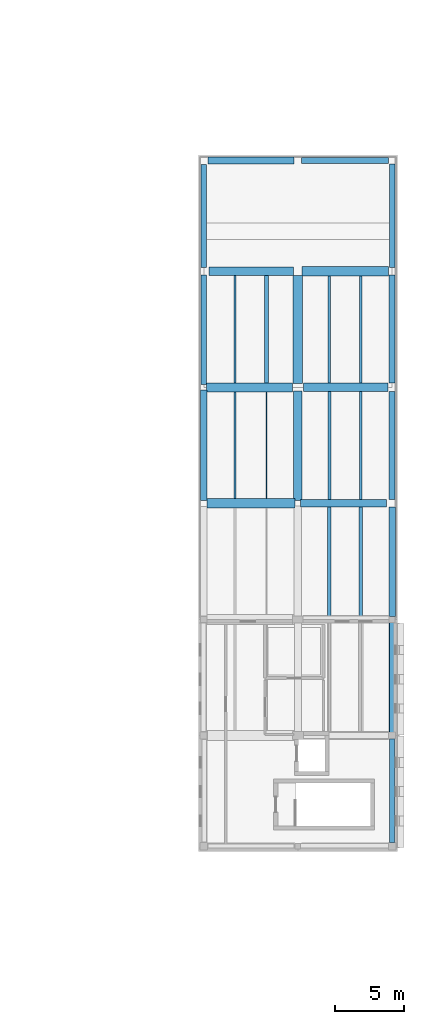
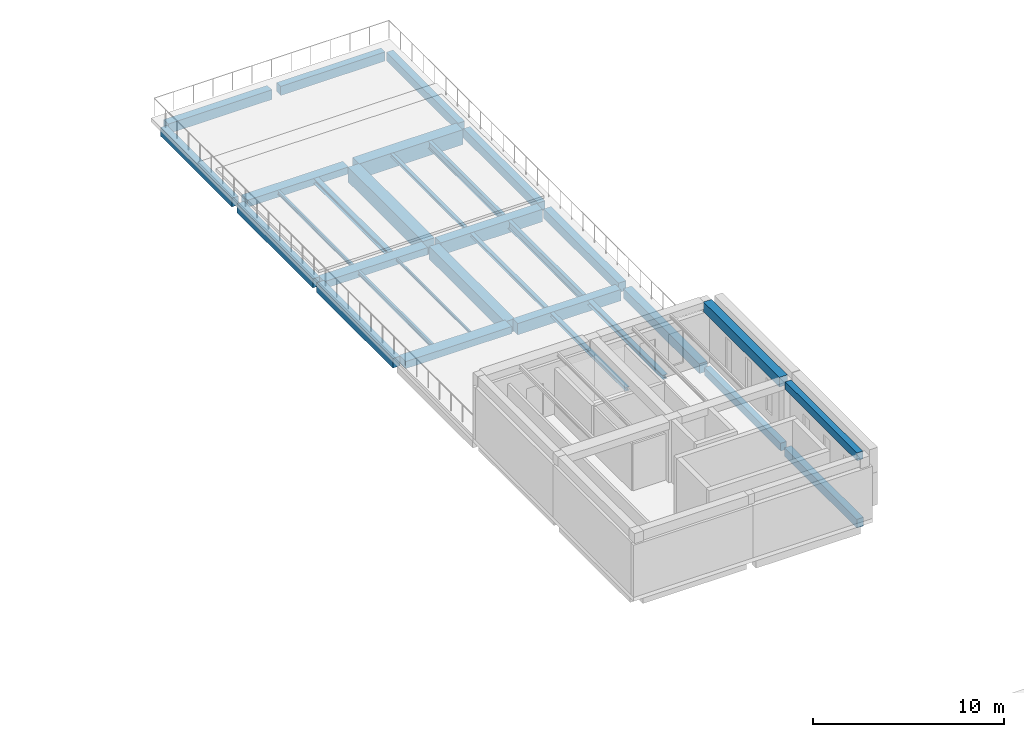
# One storey, part 15 of 34: 31 beams.
"""IFC4 building model written with IfcOpenShell, lengths in metres."""

from ifc_helpers import new_model, si_unit, direction, frame, origin, origin_2d, place, context, subcontext, project, spatial, rectangle, i_section, extrude, material, material_profile, profile_set, type_object, element, save


model = new_model("IFC4")

# Units and contexts
model_context = context("Model", 3, precision=1e-05, world=origin(), true_north=direction((0.0, 1.0)))
body_context = subcontext(model_context, "Body", "Model", "MODEL_VIEW")
ifc_project = project(units=[si_unit("LENGTHUNIT", "METRE"), si_unit("AREAUNIT", "SQUARE_METRE"), si_unit("VOLUMEUNIT", "CUBIC_METRE"), si_unit("PLANEANGLEUNIT", "RADIAN"), si_unit("MASSUNIT", "GRAM", prefix="KILO")], contexts=[model_context])

# Site, building, storey
site_placement = place(None, origin())
site = spatial("IfcSite", under=ifc_project, at=site_placement, CompositionType="ELEMENT")
building_placement = place(site_placement, origin())
building = spatial("IfcBuilding", under=site, at=building_placement, Name="Vardoun Plaza Health Centre", CompositionType="ELEMENT")
storey_placement = place(building_placement, frame((0.0, 0.0, 12.89990234375)))
storey = spatial("IfcBuildingStorey", under=building, at=storey_placement, Name="L03", CompositionType="ELEMENT", Elevation=12.89990234375)

# Beams
ifc_material_1 = material(Name="Concrete C35/45", Category="concrete")
ifc_material_profile_1 = material_profile(ifc_material_1, rectangle(XDim=0.35009765625, YDim=0.5, at=origin_2d()), Name="RC-BM 350x500")
ifc_profile_set_1 = profile_set([ifc_material_profile_1], Name="Concrete C35/45")
beam_type_1 = type_object("IfcBeamType", Name="B-08", PredefinedType="SPANDREL", material=ifc_profile_set_1)
beam_1_placement = place(storey_placement, frame((164.919921875, 44.925048828125, -0.5), z_axis=(0.0, 1.0, 0.0), x_axis=(-1.0, 0.0, 0.0)))
element("IfcBeam", 1, at=beam_1_placement, inside=storey, type_object=beam_type_1, Name="V6 L03 Beam B-V6-L03-Y26", PredefinedType="SPANDREL", context=body_context, shape_type="SweptSolid", body=[
    extrude(rectangle(XDim=0.35009765625, YDim=0.5, at=origin_2d()), origin(), (0.0, 0.0, 1.0), 7.97509765625),
])
beam_2_placement = place(storey_placement, frame((164.919921875, 36.955078125, 3.710205078125), z_axis=(0.0, 1.0, 0.0), x_axis=(-1.0, 0.0, 0.0)))
element("IfcBeam", 2, at=beam_2_placement, inside=storey, type_object=beam_type_1, Name="V6 L03 Beam B-V6-L03-Y10", PredefinedType="SPANDREL", context=body_context, shape_type="SweptSolid", body=[
    extrude(rectangle(XDim=0.35009765625, YDim=0.5, at=origin_2d()), origin(), (0.0, 0.0, 1.0), 7.494873046875),
])
ifc_material_2 = material(Name="Concrete C35/45", Category="concrete")
ifc_material_profile_2 = material_profile(ifc_material_2, rectangle(XDim=0.39990234375, YDim=0.550048828125, at=origin_2d()), Name="RC-BM 400x550")
ifc_profile_set_2 = profile_set([ifc_material_profile_2], Name="Concrete C35/45")
beam_type_2 = type_object("IfcBeamType", Name="B-09", PredefinedType="SPANDREL", material=ifc_profile_set_2)
beam_3_placement = place(storey_placement, frame((151.280029296875, 78.574951171875, -0.52490234375), z_axis=(0.0, 1.0, 0.0), x_axis=(-1.0, 0.0, 0.0)))
element("IfcBeam", 3, at=beam_3_placement, inside=storey, type_object=beam_type_2, Name="V6 L03 Beam B-V6-L03-Y20", PredefinedType="SPANDREL", context=body_context, shape_type="SweptSolid", body=[
    extrude(rectangle(XDim=0.39990234375, YDim=0.550048828125, at=origin_2d()), origin(), (0.0, 0.0, 1.0), 7.445068359375),
])
beam_4_placement = place(storey_placement, frame((164.919921875, 36.929931640625, -0.52490234375), z_axis=(0.0, 1.0, 0.0), x_axis=(-1.0, 0.0, 0.0)))
element("IfcBeam", 4, at=beam_4_placement, inside=storey, type_object=beam_type_2, Name="V6 L03 Beam B-V6-L03-Y25", PredefinedType="SPANDREL", context=body_context, shape_type="SweptSolid", body=[
    extrude(rectangle(XDim=0.39990234375, YDim=0.550048828125, at=origin_2d()), origin(), (0.0, 0.0, 1.0), 7.545166015625),
])
beam_5_placement = place(storey_placement, frame((164.919921875, 78.574951171875, -0.52490234375), z_axis=(0.0, 1.0, 0.0), x_axis=(-1.0, 0.0, 0.0)))
element("IfcBeam", 5, at=beam_5_placement, inside=storey, type_object=beam_type_2, Name="V6 L03 Beam B-V6-L03-Y30", PredefinedType="SPANDREL", context=body_context, shape_type="SweptSolid", body=[
    extrude(rectangle(XDim=0.39990234375, YDim=0.550048828125, at=origin_2d()), origin(), (0.0, 0.0, 1.0), 7.4951171875),
])
ifc_material_3 = material(Name="Concrete C35/45", Category="concrete")
ifc_material_profile_3 = material_profile(ifc_material_3, rectangle(XDim=0.419921875, YDim=0.580078125, at=origin_2d()), Name="RC-BM 420x580")
ifc_profile_set_3 = profile_set([ifc_material_profile_3], Name="Concrete C35/45")
beam_type_3 = type_object("IfcBeamType", Name="B-10", PredefinedType="SPANDREL", material=ifc_profile_set_3)
beam_6_placement = place(storey_placement, frame((158.375, 86.320068359375, -0.539794921875), z_axis=(1.0, 0.0, 0.0), x_axis=(0.0, 1.0, 0.0)))
element("IfcBeam", 6, at=beam_6_placement, inside=storey, type_object=beam_type_3, Name="V6 L03 Beam B-V6-L03-X14", PredefinedType="SPANDREL", context=body_context, shape_type="SweptSolid", body=[
    extrude(rectangle(XDim=0.419921875, YDim=0.580078125, at=origin_2d()), origin(), (0.0, 0.0, 1.0), 6.294921875),
])
beam_7_placement = place(storey_placement, frame((151.280029296875, 70.10009765625, -0.539794921875), z_axis=(0.0, 1.0, 0.0), x_axis=(-1.0, 0.0, 0.0)))
element("IfcBeam", 7, at=beam_7_placement, inside=storey, type_object=beam_type_3, Name="V6 L03 Beam B-V6-L03-Y19", PredefinedType="SPANDREL", context=body_context, shape_type="SweptSolid", body=[
    extrude(rectangle(XDim=0.419921875, YDim=0.580078125, at=origin_2d()), origin(), (0.0, 0.0, 1.0), 7.925048828125),
])
beam_8_placement = place(storey_placement, frame((164.919921875, 70.199951171875, -0.539794921875), z_axis=(0.0, 1.0, 0.0), x_axis=(-1.0, 0.0, 0.0)))
element("IfcBeam", 8, at=beam_8_placement, inside=storey, type_object=beam_type_3, Name="V6 L03 Beam B-V6-L03-Y29", PredefinedType="SPANDREL", context=body_context, shape_type="SweptSolid", body=[
    extrude(rectangle(XDim=0.419921875, YDim=0.580078125, at=origin_2d()), origin(), (0.0, 0.0, 1.0), 7.8251953125),
])
ifc_material_4 = material(Name="Concrete C35/45", Category="concrete")
ifc_material_profile_4 = material_profile(ifc_material_4, rectangle(XDim=0.449951171875, YDim=0.60009765625, at=origin_2d()), Name="RC-BM 450x600")
ifc_profile_set_4 = profile_set([ifc_material_profile_4], Name="Concrete C35/45")
beam_type_4 = type_object("IfcBeamType", Name="B-11", PredefinedType="SPANDREL", material=ifc_profile_set_4)
beam_9_placement = place(storey_placement, frame((151.280029296875, 61.72509765625, -0.5498046875), z_axis=(0.0, 1.0, 0.0), x_axis=(-1.0, 0.0, 0.0)))
element("IfcBeam", 9, at=beam_9_placement, inside=storey, type_object=beam_type_4, Name="V6 L03 Beam B-V6-L03-Y18", PredefinedType="SPANDREL", context=body_context, shape_type="SweptSolid", body=[
    extrude(rectangle(XDim=0.449951171875, YDim=0.60009765625, at=origin_2d()), origin(), (0.0, 0.0, 1.0), 7.974853515625),
])
beam_10_placement = place(storey_placement, frame((164.919921875, 61.775146484375, -0.5498046875), z_axis=(0.0, 1.0, 0.0), x_axis=(-1.0, 0.0, 0.0)))
element("IfcBeam", 10, at=beam_10_placement, inside=storey, type_object=beam_type_4, Name="V6 L03 Beam B-V6-L03-Y28", PredefinedType="SPANDREL", context=body_context, shape_type="SweptSolid", body=[
    extrude(rectangle(XDim=0.449951171875, YDim=0.60009765625, at=origin_2d()), origin(), (0.0, 0.0, 1.0), 7.824951171875),
])
ifc_material_5 = material(Name="Concrete C35/45", Category="concrete")
ifc_material_profile_5 = material_profile(ifc_material_5, rectangle(XDim=0.47998046875, YDim=0.6201171875, at=origin_2d()), Name="RC-BM 480x620")
ifc_profile_set_5 = profile_set([ifc_material_profile_5], Name="Concrete C35/45")
beam_type_5 = type_object("IfcBeamType", Name="B-12", PredefinedType="SPANDREL", material=ifc_profile_set_5)
beam_11_placement = place(storey_placement, frame((151.580078125, 86.320068359375, -0.559814453125), z_axis=(1.0, 0.0, 0.0), x_axis=(0.0, 1.0, 0.0)))
element("IfcBeam", 11, at=beam_11_placement, inside=storey, type_object=beam_type_5, Name="V6 L03 Beam B-V6-L03-X07", PredefinedType="SPANDREL", context=body_context, shape_type="SweptSolid", body=[
    extrude(rectangle(XDim=0.47998046875, YDim=0.6201171875, at=origin_2d()), origin(), (0.0, 0.0, 1.0), 6.244873046875),
])
for number, where, z_axis, x_axis, name in (
    (12, (164.919921875, 53.300048828125, -0.559814453125), (0.0, 1.0, 0.0), (-1.0, 0.0, 0.0), "V6 L03 Beam B-V6-L03-Y27"),
    (13, (164.919921875, 44.949951171875, 3.650146484375), (0.0, 1.0, 0.0), (-1.0, 0.0, 0.0), "V6 L03 Beam B-V6-L03-Y11"),
):
    element("IfcBeam", number, at=place(storey_placement, frame(where, z_axis=z_axis, x_axis=x_axis)), inside=storey, type_object=beam_type_5, Name=name, PredefinedType="SPANDREL", context=body_context, shape_type="SweptSolid", body=[
        extrude(rectangle(XDim=0.47998046875, YDim=0.6201171875, at=origin_2d()), origin(), (0.0, 0.0, 1.0), 7.925048828125),
    ])
ifc_material_6 = material(Name="Concrete C40/50", Category="concrete")
ifc_material_profile_6 = material_profile(ifc_material_6, rectangle(XDim=0.550048828125, YDim=0.719970703125, at=origin_2d()), Name="RC-BM 550x720")
ifc_profile_set_6 = profile_set([ifc_material_profile_6], Name="Concrete C40/50")
beam_type_6 = type_object("IfcBeamType", Name="B-14", PredefinedType="BEAM", material=ifc_profile_set_6)
beam_12_placement = place(storey_placement, frame((158.300048828125, 61.5, -0.60986328125), z_axis=(1.0, 0.0, 0.0), x_axis=(0.0, 1.0, 0.0)))
element("IfcBeam", 14, at=beam_12_placement, inside=storey, type_object=beam_type_6, Name="V6 L03 Beam B-V6-L03-X11", PredefinedType="BEAM", context=body_context, shape_type="SweptSolid", body=[
    extrude(rectangle(XDim=0.550048828125, YDim=0.719970703125, at=origin_2d()), origin(), (0.0, 0.0, 1.0), 6.219970703125),
])
ifc_material_7 = material(Name="Concrete C35/45", Category="concrete")
ifc_material_profile_7 = material_profile(ifc_material_7, rectangle(XDim=0.60009765625, YDim=0.449951171875, at=origin_2d()), Name="RC-BM 600x450")
ifc_profile_set_7 = profile_set([ifc_material_profile_7], Name="Concrete C35/45")
beam_type_7 = type_object("IfcBeamType", Name="B-04", PredefinedType="BEAM", material=ifc_profile_set_7)
beam_13_placement = place(storey_placement, frame((151.679931640625, 78.300048828125, -0.474853515625), z_axis=(1.0, 0.0, 0.0), x_axis=(0.0, 1.0, 0.0)))
element("IfcBeam", 15, at=beam_13_placement, inside=storey, type_object=beam_type_7, Name="V6 L03 Beam B-V6-L03-X06", PredefinedType="BEAM", context=body_context, shape_type="SweptSolid", body=[
    extrude(rectangle(XDim=0.60009765625, YDim=0.449951171875, at=origin_2d()), origin(), (0.0, 0.0, 1.0), 6.1201171875),
])
ifc_material_8 = material(Name="Concrete C40/50", Category="concrete")
ifc_material_profile_8 = material_profile(ifc_material_8, rectangle(XDim=0.60009765625, YDim=0.800048828125, at=origin_2d()), Name="RC-BM 600x800")
ifc_profile_set_8 = profile_set([ifc_material_profile_8], Name="Concrete C40/50")
beam_type_8 = type_object("IfcBeamType", Name="B-15", PredefinedType="JOIST", material=ifc_profile_set_8)
beam_14_placement = place(storey_placement, frame((158.5, 69.900146484375, -0.64990234375), z_axis=(1.0, 0.0, 0.0), x_axis=(0.0, 1.0, 0.0)))
element("IfcBeam", 16, at=beam_14_placement, inside=storey, type_object=beam_type_8, Name="V6 L03 Beam B-V6-L03-X12", PredefinedType="JOIST", context=body_context, shape_type="SweptSolid", body=[
    extrude(rectangle(XDim=0.60009765625, YDim=0.800048828125, at=origin_2d()), origin(), (0.0, 0.0, 1.0), 6.1201171875),
])
beam_15_placement = place(storey_placement, frame((158.10009765625, 61.699951171875, -0.64990234375), z_axis=(0.0, 1.0, 0.0), x_axis=(-1.0, 0.0, 0.0)))
element("IfcBeam", 17, at=beam_15_placement, inside=storey, type_object=beam_type_8, Name="V6 L03 Beam B-V6-L03-Y23", PredefinedType="JOIST", context=body_context, shape_type="SweptSolid", body=[
    extrude(rectangle(XDim=0.60009765625, YDim=0.800048828125, at=origin_2d()), origin(), (0.0, 0.0, 1.0), 7.925048828125),
])
ifc_material_9 = material(Name="Concrete C35/45", Category="concrete")
ifc_material_profile_9 = material_profile(ifc_material_9, rectangle(XDim=0.64990234375, YDim=0.449951171875, at=origin_2d()), Name="RC-BM 650x450")
ifc_profile_set_9 = profile_set([ifc_material_profile_9], Name="Concrete C35/45")
beam_type_9 = type_object("IfcBeamType", Name="B-05", PredefinedType="BEAM", material=ifc_profile_set_9)
beam_16_placement = place(storey_placement, frame((151.47998046875, 69.900146484375, -0.474853515625), z_axis=(1.0, 0.0, 0.0), x_axis=(0.0, 1.0, 0.0)))
element("IfcBeam", 18, at=beam_16_placement, inside=storey, type_object=beam_type_9, Name="V6 L03 Beam B-V6-L03-X05", PredefinedType="BEAM", context=body_context, shape_type="SweptSolid", body=[
    extrude(rectangle(XDim=0.64990234375, YDim=0.449951171875, at=origin_2d()), origin(), (0.0, 0.0, 1.0), 6.219970703125),
])
ifc_material_10 = material(Name="Concrete C35/45", Category="concrete")
ifc_material_profile_10 = material_profile(ifc_material_10, rectangle(XDim=0.699951171875, YDim=0.449951171875, at=origin_2d()), Name="RC-BM 700x450")
ifc_profile_set_10 = profile_set([ifc_material_profile_10], Name="Concrete C35/45")
beam_type_10 = type_object("IfcBeamType", Name="B-06", PredefinedType="BEAM", material=ifc_profile_set_10)
beam_17_placement = place(storey_placement, frame((151.5048828125, 61.5, -0.474853515625), z_axis=(1.0, 0.0, 0.0), x_axis=(0.0, 1.0, 0.0)))
element("IfcBeam", 19, at=beam_17_placement, inside=storey, type_object=beam_type_10, Name="V6 L03 Beam B-V6-L03-X04", PredefinedType="BEAM", context=body_context, shape_type="SweptSolid", body=[
    extrude(rectangle(XDim=0.699951171875, YDim=0.449951171875, at=origin_2d()), origin(), (0.0, 0.0, 1.0), 6.39501953125),
])
ifc_material_11 = material(Name="Concrete C40/50", Category="concrete")
ifc_material_profile_11 = material_profile(ifc_material_11, rectangle(XDim=0.699951171875, YDim=0.949951171875, at=origin_2d()), Name="RC-BM 700x950")
ifc_profile_set_11 = profile_set([ifc_material_profile_11], Name="Concrete C40/50")
beam_type_11 = type_object("IfcBeamType", Name="B-16", PredefinedType="LINTEL", material=ifc_profile_set_11)
beam_18_placement = place(storey_placement, frame((158.39990234375, 78.300048828125, -0.724853515625), z_axis=(1.0, 0.0, 0.0), x_axis=(0.0, 1.0, 0.0)))
element("IfcBeam", 20, at=beam_18_placement, inside=storey, type_object=beam_type_11, Name="V6 L03 Beam B-V6-L03-X13", PredefinedType="LINTEL", context=body_context, shape_type="SweptSolid", body=[
    extrude(rectangle(XDim=0.699951171875, YDim=0.949951171875, at=origin_2d()), origin(), (0.0, 0.0, 1.0), 6.2451171875),
])
beam_19_placement = place(storey_placement, frame((158.10009765625, 70.175048828125, -0.724853515625), z_axis=(0.0, 1.0, 0.0), x_axis=(-1.0, 0.0, 0.0)))
element("IfcBeam", 21, at=beam_19_placement, inside=storey, type_object=beam_type_11, Name="V6 L03 Beam B-V6-L03-Y24", PredefinedType="LINTEL", context=body_context, shape_type="SweptSolid", body=[
    extrude(rectangle(XDim=0.699951171875, YDim=0.949951171875, at=origin_2d()), origin(), (0.0, 0.0, 1.0), 7.824951171875),
])
ifc_material_12 = material(Name="Steel S355J2", Category="steel")
ifc_material_profile_12 = material_profile(ifc_material_12, i_section(OverallWidth=0.199951171875, OverallDepth=0.18994140625, WebThickness=0.006591796875, FlangeThickness=0.010009765625, FilletRadius=0.01806640625, at=origin_2d()), Name="HEA 200")
ifc_profile_set_12 = profile_set([ifc_material_profile_12], Name="Steel S355J2")
beam_type_12 = type_object("IfcBeamType", Name="SB-09", PredefinedType="BEAM", material=ifc_profile_set_12)
beam_20_placement = place(storey_placement, frame((160.373046875, 70.199951171875, -0.344970703125), z_axis=(0.0, 1.0, 0.0), x_axis=(-1.0, 0.0, 0.0)))
element("IfcBeam", 22, at=beam_20_placement, inside=storey, type_object=beam_type_12, Name="V6 L03 Secondary Floor Beam SJ-V6-L03-12", PredefinedType="BEAM", context=body_context, shape_type="SweptSolid", body=[
    extrude(i_section(OverallWidth=0.199951171875, OverallDepth=0.18994140625, WebThickness=0.006591796875, FlangeThickness=0.010009765625, FilletRadius=0.01806640625, at=origin_2d()), origin(), (0.0, 0.0, 1.0), 7.75),
])
ifc_material_13 = material(Name="Steel S355J2", Category="steel")
ifc_material_profile_13 = material_profile(ifc_material_13, i_section(OverallWidth=0.219970703125, OverallDepth=0.2099609375, WebThickness=0.007080078125, FlangeThickness=0.010986328125, FilletRadius=0.01806640625, at=origin_2d()), Name="HEA 220")
ifc_profile_set_13 = profile_set([ifc_material_profile_13], Name="Steel S355J2")
beam_type_13 = type_object("IfcBeamType", Name="SB-08", PredefinedType="BEAM", material=ifc_profile_set_13)
beam_21_placement = place(storey_placement, frame((160.373046875, 61.775146484375, -0.35498046875), z_axis=(0.0, 1.0, 0.0), x_axis=(-1.0, 0.0, 0.0)))
element("IfcBeam", 23, at=beam_21_placement, inside=storey, type_object=beam_type_13, Name="V6 L03 Secondary Floor Beam SJ-V6-L03-11", PredefinedType="BEAM", context=body_context, shape_type="SweptSolid", body=[
    extrude(i_section(OverallWidth=0.219970703125, OverallDepth=0.2099609375, WebThickness=0.007080078125, FlangeThickness=0.010986328125, FilletRadius=0.01806640625, at=origin_2d()), origin(), (0.0, 0.0, 1.0), 7.824951171875),
])
ifc_material_14 = material(Name="Steel S355J2", Category="steel")
ifc_material_profile_14 = material_profile(ifc_material_14, i_section(OverallWidth=0.239990234375, OverallDepth=0.22998046875, WebThickness=0.007568359375, FlangeThickness=0.011962890625, FilletRadius=0.02099609375, at=origin_2d()), Name="HEA 240")
ifc_profile_set_14 = profile_set([ifc_material_profile_14], Name="Steel S355J2")
beam_type_14 = type_object("IfcBeamType", Name="SB-07", PredefinedType="BEAM", material=ifc_profile_set_14)
beam_22_placement = place(storey_placement, frame((160.373046875, 53.35009765625, -0.364990234375), z_axis=(0.0, 1.0, 0.0), x_axis=(-1.0, 0.0, 0.0)))
element("IfcBeam", 24, at=beam_22_placement, inside=storey, type_object=beam_type_14, Name="V6 L03 Secondary Floor Beam SJ-V6-L03-10", PredefinedType="BEAM", context=body_context, shape_type="SweptSolid", body=[
    extrude(i_section(OverallWidth=0.239990234375, OverallDepth=0.22998046875, WebThickness=0.007568359375, FlangeThickness=0.011962890625, FilletRadius=0.02099609375, at=origin_2d()), origin(), (0.0, 0.0, 1.0), 7.875),
])
ifc_material_15 = material(Name="Steel S355J2", Category="steel")
ifc_material_profile_15 = material_profile(ifc_material_15, i_section(OverallWidth=0.300048828125, OverallDepth=0.330078125, WebThickness=0.009521484375, FlangeThickness=0.0166015625, FilletRadius=0.027099609375, at=origin_2d()), Name="HEA 340")
ifc_profile_set_15 = profile_set([ifc_material_profile_15], Name="Steel S355J2")
beam_type_15 = type_object("IfcBeamType", Name="SB-04", PredefinedType="BEAM", material=ifc_profile_set_15)
beam_23_placement = place(storey_placement, frame((155.826904296875, 70.22509765625, -0.414794921875), z_axis=(0.0, 1.0, 0.0), x_axis=(-1.0, 0.0, 0.0)))
element("IfcBeam", 25, at=beam_23_placement, inside=storey, type_object=beam_type_15, Name="V6 L03 Secondary Floor Beam SJ-V6-L03-08", PredefinedType="BEAM", context=body_context, shape_type="SweptSolid", body=[
    extrude(i_section(OverallWidth=0.300048828125, OverallDepth=0.330078125, WebThickness=0.009521484375, FlangeThickness=0.0166015625, FilletRadius=0.027099609375, at=origin_2d()), origin(), (0.0, 0.0, 1.0), 7.77490234375),
])
ifc_material_16 = material(Name="Steel S355J2", Category="steel")
ifc_material_profile_16 = material_profile(ifc_material_16, i_section(OverallWidth=0.280029296875, OverallDepth=0.280029296875, WebThickness=0.010498046875, FlangeThickness=0.01806640625, FilletRadius=0.02392578125, at=origin_2d()), Name="HEB 280")
ifc_profile_set_16 = profile_set([ifc_material_profile_16], Name="Steel S355J2")
beam_type_16 = type_object("IfcBeamType", Name="SB-02", PredefinedType="BEAM", material=ifc_profile_set_16)
beam_24_placement = place(storey_placement, frame((162.64697265625, 53.35009765625, -0.389892578125), z_axis=(0.0, 1.0, 0.0), x_axis=(-1.0, 0.0, 0.0)))
element("IfcBeam", 26, at=beam_24_placement, inside=storey, type_object=beam_type_16, Name="V6 L03 Secondary Floor Beam SJ-V6-L03-14", PredefinedType="BEAM", context=body_context, shape_type="SweptSolid", body=[
    extrude(i_section(OverallWidth=0.280029296875, OverallDepth=0.280029296875, WebThickness=0.010498046875, FlangeThickness=0.01806640625, FilletRadius=0.02392578125, at=origin_2d()), origin(), (0.0, 0.0, 1.0), 7.875),
])
ifc_material_17 = material(Name="Steel S355J2", Category="steel")
ifc_material_profile_17 = material_profile(ifc_material_17, i_section(OverallWidth=0.091064453125, OverallDepth=0.179931640625, WebThickness=0.00537109375, FlangeThickness=0.008056640625, FilletRadius=0.009033203125, at=origin_2d()), Name="IPE 180")
ifc_profile_set_17 = profile_set([ifc_material_profile_17], Name="Steel S355J2")
beam_type_17 = type_object("IfcBeamType", Name="SB-20", PredefinedType="SPANDREL", material=ifc_profile_set_17)
beam_25_placement = place(storey_placement, frame((155.826904296875, 61.85009765625, -0.33984375), z_axis=(0.0, 1.0, 0.0), x_axis=(-1.0, 0.0, 0.0)))
element("IfcBeam", 27, at=beam_25_placement, inside=storey, type_object=beam_type_17, Name="V6 L03 Secondary Floor Beam SJ-V6-L03-07", PredefinedType="SPANDREL", context=body_context, shape_type="SweptSolid", body=[
    extrude(i_section(OverallWidth=0.091064453125, OverallDepth=0.179931640625, WebThickness=0.00537109375, FlangeThickness=0.008056640625, FilletRadius=0.009033203125, at=origin_2d()), origin(), (0.0, 0.0, 1.0), 7.724853515625),
])
ifc_material_18 = material(Name="Steel S355J2", Category="steel")
ifc_material_profile_18 = material_profile(ifc_material_18, i_section(OverallWidth=0.1201171875, OverallDepth=0.239990234375, WebThickness=0.006103515625, FlangeThickness=0.009765625, FilletRadius=0.014892578125, at=origin_2d()), Name="IPE 240")
ifc_profile_set_18 = profile_set([ifc_material_profile_18], Name="Steel S355J2")
beam_type_18 = type_object("IfcBeamType", Name="SB-17", PredefinedType="JOIST", material=ifc_profile_set_18)
beam_26_placement = place(storey_placement, frame((153.552978515625, 70.22509765625, -0.369873046875), z_axis=(0.0, 1.0, 0.0), x_axis=(-1.0, 0.0, 0.0)))
element("IfcBeam", 28, at=beam_26_placement, inside=storey, type_object=beam_type_18, Name="V6 L03 Secondary Floor Beam SJ-V6-L03-04", PredefinedType="JOIST", context=body_context, shape_type="SweptSolid", body=[
    extrude(i_section(OverallWidth=0.1201171875, OverallDepth=0.239990234375, WebThickness=0.006103515625, FlangeThickness=0.009765625, FilletRadius=0.014892578125, at=origin_2d()), origin(), (0.0, 0.0, 1.0), 7.77490234375),
])
ifc_material_19 = material(Name="Steel S355J2", Category="steel")
ifc_material_profile_19 = material_profile(ifc_material_19, i_section(OverallWidth=0.135009765625, OverallDepth=0.27001953125, WebThickness=0.006591796875, FlangeThickness=0.01025390625, FilletRadius=0.014892578125, at=origin_2d()), Name="IPE 270")
ifc_profile_set_19 = profile_set([ifc_material_profile_19], Name="Steel S355J2")
beam_type_19 = type_object("IfcBeamType", Name="SB-16", PredefinedType="JOIST", material=ifc_profile_set_19)
beam_27_placement = place(storey_placement, frame((153.552978515625, 61.85009765625, -0.385009765625), z_axis=(0.0, 1.0, 0.0), x_axis=(-1.0, 0.0, 0.0)))
element("IfcBeam", 29, at=beam_27_placement, inside=storey, type_object=beam_type_19, Name="V6 L03 Secondary Floor Beam SJ-V6-L03-03", PredefinedType="JOIST", context=body_context, shape_type="SweptSolid", body=[
    extrude(i_section(OverallWidth=0.135009765625, OverallDepth=0.27001953125, WebThickness=0.006591796875, FlangeThickness=0.01025390625, FilletRadius=0.014892578125, at=origin_2d()), origin(), (0.0, 0.0, 1.0), 7.724853515625),
])
ifc_material_20 = material(Name="Steel S355J2", Category="steel")
ifc_material_profile_20 = material_profile(ifc_material_20, i_section(OverallWidth=0.18994140625, OverallDepth=0.449951171875, WebThickness=0.009521484375, FlangeThickness=0.0146484375, FilletRadius=0.02099609375, at=origin_2d()), Name="IPE 450")
ifc_profile_set_20 = profile_set([ifc_material_profile_20], Name="Steel S355J2")
beam_type_20 = type_object("IfcBeamType", Name="SB-11", PredefinedType="BEAM", material=ifc_profile_set_20)
beam_28_placement = place(storey_placement, frame((162.64697265625, 70.199951171875, -0.474853515625), z_axis=(0.0, 1.0, 0.0), x_axis=(-1.0, 0.0, 0.0)))
element("IfcBeam", 30, at=beam_28_placement, inside=storey, type_object=beam_type_20, Name="V6 L03 Secondary Floor Beam SJ-V6-L03-16", PredefinedType="BEAM", context=body_context, shape_type="SweptSolid", body=[
    extrude(i_section(OverallWidth=0.18994140625, OverallDepth=0.449951171875, WebThickness=0.009521484375, FlangeThickness=0.0146484375, FilletRadius=0.02099609375, at=origin_2d()), origin(), (0.0, 0.0, 1.0), 7.75),
])
ifc_material_21 = material(Name="Steel S355J2", Category="steel")
ifc_material_profile_21 = material_profile(ifc_material_21, i_section(OverallWidth=0.199951171875, OverallDepth=0.5, WebThickness=0.01025390625, FlangeThickness=0.01611328125, FilletRadius=0.02099609375, at=origin_2d()), Name="IPE 500")
ifc_profile_set_21 = profile_set([ifc_material_profile_21], Name="Steel S355J2")
beam_type_21 = type_object("IfcBeamType", Name="SB-10", PredefinedType="BEAM", material=ifc_profile_set_21)
beam_29_placement = place(storey_placement, frame((162.64697265625, 61.775146484375, -0.5), z_axis=(0.0, 1.0, 0.0), x_axis=(-1.0, 0.0, 0.0)))
element("IfcBeam", 31, at=beam_29_placement, inside=storey, type_object=beam_type_21, Name="V6 L03 Secondary Floor Beam SJ-V6-L03-15", PredefinedType="BEAM", context=body_context, shape_type="SweptSolid", body=[
    extrude(i_section(OverallWidth=0.199951171875, OverallDepth=0.5, WebThickness=0.01025390625, FlangeThickness=0.01611328125, FilletRadius=0.02099609375, at=origin_2d()), origin(), (0.0, 0.0, 1.0), 7.824951171875),
])

save(model, "model.ifc")
